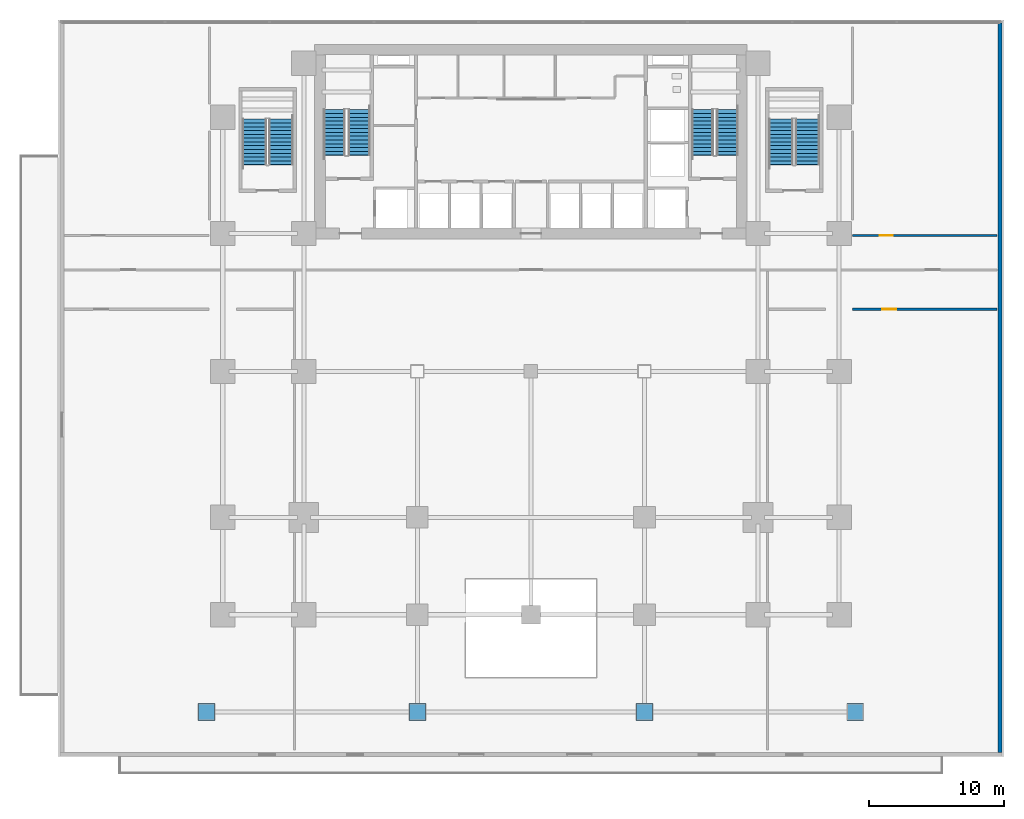
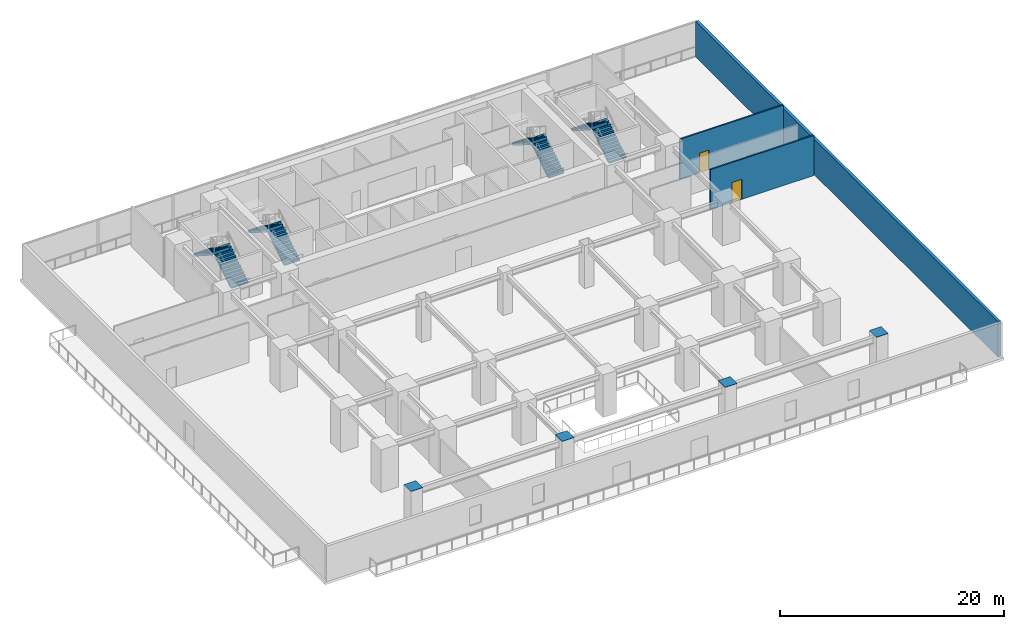
# One storey, part 11 of 17: 8 stair flights, 4 discrete accessories, 3 walls, 2 doors, 2 openings, 4 elements without a shape of their own.
"""IFC4 building model written with IfcOpenShell, lengths in metres."""

from ifc_helpers import new_model, si_unit, direction, frame, frame_2d, origin, origin_2d, place, context, subcontext, project, spatial, polyline, rectangle, outline, extrude, source, transform, mapped, material, layer, layer_set, type_object, element, fill, aggregate, save


model = new_model("IFC4")

# Units and contexts
model_context = context("Model", 3, precision=1e-05, world=origin(), true_north=direction((0.0, 1.0)))
body_context = subcontext(model_context, "Body", "Model", "MODEL_VIEW")
ifc_project = project(units=[si_unit("LENGTHUNIT", "METRE"), si_unit("AREAUNIT", "SQUARE_METRE"), si_unit("VOLUMEUNIT", "CUBIC_METRE"), si_unit("PLANEANGLEUNIT", "RADIAN"), si_unit("MASSUNIT", "GRAM", prefix="KILO")], contexts=[model_context])

# Site, building, storey
site_placement = place(None, origin())
site = spatial("IfcSite", under=ifc_project, at=site_placement, CompositionType="ELEMENT")
building_placement = place(site_placement, origin())
building = spatial("IfcBuilding", under=site, at=building_placement, Name="Sumidabori Civic Tower", CompositionType="ELEMENT")
storey_placement = place(building_placement, frame((0.0, 0.0, 9.64990234375)))
storey = spatial("IfcBuildingStorey", under=building, at=storey_placement, Name="L02", CompositionType="ELEMENT", Elevation=9.64990234375)

# Wall
ifc_material_1 = material(Name="Precast concrete C40/50", Category="concrete")
ifc_layer_1 = layer(ifc_material_1, 0.300048828125, Name="Precast concrete C40/50")
ifc_layer_set_1 = layer_set([ifc_layer_1], Name="Precast concrete C40/50")
wall_type_1 = type_object("IfcWallType", Name="WL-EXT-POD300", PredefinedType="STANDARD", material=ifc_layer_set_1)
shared_shape_1 = source(origin(), body_context, "Body", "SweptSolid", [
    extrude(rectangle(XDim=53.989990234375, YDim=0.300048828125, at=frame_2d((26.9951171875, 0.0))), origin(), (0.0, 0.0, 1.0), 3.8701171875),
])
wall_1_placement = place(storey_placement, frame((34.699951171875, 25.7900390625, 0.0), z_axis=(0.0, 0.0, 1.0), x_axis=(0.0, -1.0, 0.0)))
element("IfcWall", 1, at=wall_1_placement, inside=storey, type_object=wall_type_1, Name="Podium East Wall L02", PredefinedType="STANDARD", context=body_context, shape_type="MappedRepresentation", body=[
    mapped(shared_shape_1, transform((0.0, 0.0, 0.0), x_axis=(1.0, 0.0, 0.0), y_axis=(0.0, 1.0, 0.0), z_axis=(0.0, 0.0, 1.0), scale=1.0)),
])

# Wall, opening, door
ifc_material_2 = material(Name="Gypsum Plasterboard Acoustic Partition")
ifc_layer_2 = layer(ifc_material_2, 0.14990234375, Name="Gypsum Plasterboard Acoustic Partition")
ifc_layer_set_2 = layer_set([ifc_layer_2], Name="Gypsum Plasterboard Acoustic Partition")
wall_type_2 = type_object("IfcWallType", Name="WL-PART-150", PredefinedType="PARTITIONING", material=ifc_layer_set_2)
shared_shape_2 = source(origin(), body_context, "Body", "SweptSolid", [
    extrude(rectangle(XDim=10.699951171875, YDim=0.14990234375, at=frame_2d((5.35009765625, 0.0))), origin(), (0.0, 0.0, 1.0), 4.3701171875),
])
wall_2_placement = place(storey_placement, frame((23.800048828125, 10.050048828125, 0.0), z_axis=(0.0, 0.0, 1.0), x_axis=(1.0, 0.0, 0.0)))
wall_2 = element("IfcWall", 2, at=wall_2_placement, inside=storey, type_object=wall_type_2, Name="Interior Partition WL:L02:CORR-NE", PredefinedType="PARTITIONING", context=body_context, shape_type="MappedRepresentation", body=[
    mapped(shared_shape_2, transform((0.0, 0.0, 0.0), x_axis=(1.0, 0.0, 0.0), y_axis=(0.0, 1.0, 0.0), z_axis=(0.0, 0.0, 1.0), scale=1.0)),
])
opening_1_placement = place(wall_2_placement, frame((2.0, 0.0, 0.0)))
opening_1 = element("IfcOpeningElement", 3, at=opening_1_placement, cuts=wall_2, Name="Opening DR-3", PredefinedType="OPENING", context=body_context, shape_type="SweptSolid", body=[
    extrude(rectangle(XDim=0.97998046875, YDim=2.14990234375, at=frame_2d((0.489990234375, 1.074951171875))), frame((0.0, 0.0869140625, 0.0), z_axis=(0.0, -1.0, 0.0), x_axis=(1.0, 0.0, 0.0)), (0.0, 0.0, 1.0), 0.173828125),
])
ifc_material_3 = material(Name="Japanese Hinoki Timber", Category="wood")
door_type_1 = type_object("IfcDoorType", Name="DR-INT-980", OperationType="NOTDEFINED", PredefinedType="DOOR", material=ifc_material_3)
shared_shape_3 = source(origin(), body_context, "Body", "SweptSolid", [
    extrude(rectangle(XDim=0.97998046875, YDim=2.14990234375, at=frame_2d((0.489990234375, 1.074951171875))), frame((0.0, 0.02490234375, 0.0), z_axis=(0.0, -1.0, 0.0), x_axis=(1.0, 0.0, 0.0)), (0.0, 0.0, 1.0), 0.050048828125),
])
door_1_placement = place(opening_1_placement, origin())
door_1 = element("IfcDoor", 4, at=door_1_placement, inside=storey, type_object=door_type_1, Name="Door DR:L02:PD-NE", OperationType="SINGLE_SWING_RIGHT", OverallHeight=2.14990234375, OverallWidth=0.97998046875, PredefinedType="DOOR", context=body_context, shape_type="MappedRepresentation", body=[
    mapped(shared_shape_3, transform((0.0, 0.0, 0.0), x_axis=(1.0, 0.0, 0.0), y_axis=(0.0, 1.0, 0.0), z_axis=(0.0, 0.0, 1.0), scale=1.0)),
])
fill(opening_1, door_1)

wall_3_placement = place(storey_placement, frame((23.800048828125, 4.60009765625, 0.0), z_axis=(0.0, 0.0, 1.0), x_axis=(1.0, 0.0, 0.0)))
wall_3 = element("IfcWall", 5, at=wall_3_placement, inside=storey, type_object=wall_type_2, Name="Interior Partition WL:L02:SUB-E2", PredefinedType="PARTITIONING", context=body_context, shape_type="MappedRepresentation", body=[
    mapped(shared_shape_2, transform((0.0, 0.0, 0.0), x_axis=(1.0, 0.0, 0.0), y_axis=(0.0, 1.0, 0.0), z_axis=(0.0, 0.0, 1.0), scale=1.0)),
])
opening_2_placement = place(wall_3_placement, frame((2.199951171875, 0.0, 0.0)))
opening_2 = element("IfcOpeningElement", 6, at=opening_2_placement, cuts=wall_3, Name="Opening DR-4", PredefinedType="OPENING", context=body_context, shape_type="SweptSolid", body=[
    extrude(rectangle(XDim=1.0400390625, YDim=2.199951171875, at=frame_2d((0.52001953125, 1.10009765625))), frame((0.0, 0.0869140625, 0.0), z_axis=(0.0, -1.0, 0.0), x_axis=(1.0, 0.0, 0.0)), (0.0, 0.0, 1.0), 0.173828125),
])
door_type_2 = type_object("IfcDoorType", Name="DR-INT-1040", OperationType="NOTDEFINED", PredefinedType="DOOR", material=ifc_material_3)
shared_shape_4 = source(origin(), body_context, "Body", "SweptSolid", [
    extrude(rectangle(XDim=1.0400390625, YDim=2.199951171875, at=frame_2d((0.52001953125, 1.10009765625))), frame((0.0, 0.02490234375, 0.0), z_axis=(0.0, -1.0, 0.0), x_axis=(1.0, 0.0, 0.0)), (0.0, 0.0, 1.0), 0.050048828125),
])
door_2_placement = place(opening_2_placement, origin())
door_2 = element("IfcDoor", 7, at=door_2_placement, inside=storey, type_object=door_type_2, Name="Door DR:L02:PD-SE", OperationType="SINGLE_SWING_RIGHT", OverallHeight=2.199951171875, OverallWidth=1.0400390625, PredefinedType="DOOR", context=body_context, shape_type="MappedRepresentation", body=[
    mapped(shared_shape_4, transform((0.0, 0.0, 0.0), x_axis=(1.0, 0.0, 0.0), y_axis=(0.0, 1.0, 0.0), z_axis=(0.0, 0.0, 1.0), scale=1.0)),
])
fill(opening_2, door_2)

# Stair, stair flights
ifc_material_4 = material(Name="Concrete C40/50", Category="concrete")
stair_type_1 = type_object("IfcStairType", Name="ST-CORE-1600", PredefinedType="HALF_TURN_STAIR", material=ifc_material_4)
stair_1_placement = place(storey_placement, origin())
stair_1 = element("IfcStair", 8, at=stair_1_placement, inside=storey, type_object=stair_type_1, Name="L02 ST-1", PredefinedType="HALF_TURN_STAIR")
stair_flight_type_1 = type_object("IfcStairFlightType", Name="SF-CORE-1600", PredefinedType="STRAIGHT", material=ifc_material_4)
shared_shape_5 = source(origin(), body_context, "Body", "SweptSolid", [
    extrude(outline(polyline([(-0.02490234375, 0.0), (-0.02490234375, 0.0400390625), (0.0, 0.0400390625), (0.0, 0.178955078125), (0.280029296875, 0.178955078125), (0.280029296875, 0.357666015625), (0.56005859375, 0.357666015625), (0.56005859375, 0.53662109375), (0.840087890625, 0.53662109375), (0.840087890625, 0.71533203125), (1.1201171875, 0.71533203125), (1.1201171875, 0.894287109375), (1.39990234375, 0.894287109375), (1.39990234375, 1.072998046875), (1.679931640625, 1.072998046875), (1.679931640625, 1.251953125), (1.9599609375, 1.251953125), (1.9599609375, 1.4306640625), (2.239990234375, 1.4306640625), (2.239990234375, 1.609619140625), (2.52001953125, 1.609619140625), (2.52001953125, 1.78857421875), (2.800048828125, 1.78857421875), (2.800048828125, 1.96728515625), (3.080078125, 1.96728515625), (3.080078125, 2.146240234375), (3.360107421875, 2.146240234375), (3.360107421875, 2.324951171875), (3.385009765625, 2.324951171875), (3.385009765625, 2.175048828125), (3.360107421875, 1.96826171875), (0.278564453125, 0.0), (-0.02490234375, 0.0)])), frame((0.0, 0.800048828125, 0.0), z_axis=(0.0, -1.0, 0.0), x_axis=(1.0, 0.0, 0.0)), (0.0, 0.0, 1.0), 1.60009765625),
])
stair_flight_1_placement = place(storey_placement, frame((-12.699951171875, 16.0, 0.0), z_axis=(0.0, 0.0, 1.0), x_axis=(0.0, 1.0, 0.0)))
stair_flight_1 = element("IfcStairFlight", 9, at=stair_flight_1_placement, type_object=stair_flight_type_1, Name="ST-1 flight 1", NumberOfRisers=13, NumberOfTreads=12, PredefinedType="STRAIGHT", RiserHeight=0.178846154, TreadLength=0.28, context=body_context, shape_type="MappedRepresentation", body=[
    mapped(shared_shape_5, transform((0.0, 0.0, 0.0), x_axis=(1.0, 0.0, 0.0), y_axis=(0.0, 1.0, 0.0), z_axis=(0.0, 0.0, 1.0), scale=1.0)),
])
stair_flight_2_placement = place(storey_placement, frame((-14.5400390625, 19.360107421875, 2.3251953125), z_axis=(0.0, 0.0, 1.0), x_axis=(0.0, -1.0, 0.0)))
stair_flight_2 = element("IfcStairFlight", 10, at=stair_flight_2_placement, type_object=stair_flight_type_1, Name="ST-1 flight 2", NumberOfRisers=13, NumberOfTreads=12, PredefinedType="STRAIGHT", RiserHeight=0.178846154, TreadLength=0.28, context=body_context, shape_type="MappedRepresentation", body=[
    mapped(shared_shape_5, transform((0.0, 0.0, 0.0), x_axis=(1.0, 0.0, 0.0), y_axis=(0.0, 1.0, 0.0), z_axis=(0.0, 0.0, 1.0), scale=1.0)),
])
aggregate(stair_1, [stair_flight_1, stair_flight_2])

stair_2_placement = place(storey_placement, origin())
stair_2 = element("IfcStair", 11, at=stair_2_placement, inside=storey, type_object=stair_type_1, Name="L02 ST-2", PredefinedType="HALF_TURN_STAIR")
stair_flight_3_placement = place(storey_placement, frame((14.5400390625, 16.0, 0.0), z_axis=(0.0, 0.0, 1.0), x_axis=(0.0, 1.0, 0.0)))
stair_flight_3 = element("IfcStairFlight", 12, at=stair_flight_3_placement, type_object=stair_flight_type_1, Name="ST-2 flight 1", NumberOfRisers=13, NumberOfTreads=12, PredefinedType="STRAIGHT", RiserHeight=0.178846154, TreadLength=0.28, context=body_context, shape_type="MappedRepresentation", body=[
    mapped(shared_shape_5, transform((0.0, 0.0, 0.0), x_axis=(1.0, 0.0, 0.0), y_axis=(0.0, 1.0, 0.0), z_axis=(0.0, 0.0, 1.0), scale=1.0)),
])
stair_flight_4_placement = place(storey_placement, frame((12.699951171875, 19.360107421875, 2.3251953125), z_axis=(0.0, 0.0, 1.0), x_axis=(0.0, -1.0, 0.0)))
stair_flight_4 = element("IfcStairFlight", 13, at=stair_flight_4_placement, type_object=stair_flight_type_1, Name="ST-2 flight 2", NumberOfRisers=13, NumberOfTreads=12, PredefinedType="STRAIGHT", RiserHeight=0.178846154, TreadLength=0.28, context=body_context, shape_type="MappedRepresentation", body=[
    mapped(shared_shape_5, transform((0.0, 0.0, 0.0), x_axis=(1.0, 0.0, 0.0), y_axis=(0.0, 1.0, 0.0), z_axis=(0.0, 0.0, 1.0), scale=1.0)),
])
aggregate(stair_2, [stair_flight_3, stair_flight_4])

stair_type_2 = type_object("IfcStairType", Name="ST-POD-1800", PredefinedType="HALF_TURN_STAIR", material=ifc_material_4)
stair_3_placement = place(storey_placement, origin())
stair_3 = element("IfcStair", 14, at=stair_3_placement, inside=storey, type_object=stair_type_2, Name="L02 ST-3", PredefinedType="HALF_TURN_STAIR")
stair_flight_type_2 = type_object("IfcStairFlightType", Name="SF-POD-1800", PredefinedType="STRAIGHT", material=ifc_material_4)
shared_shape_6 = source(origin(), body_context, "Body", "SweptSolid", [
    extrude(outline(polyline([(-0.02490234375, 0.0), (-0.02490234375, 0.0400390625), (0.0, 0.0400390625), (0.0, 0.178955078125), (0.280029296875, 0.178955078125), (0.280029296875, 0.357666015625), (0.56005859375, 0.357666015625), (0.56005859375, 0.53662109375), (0.840087890625, 0.53662109375), (0.840087890625, 0.71533203125), (1.1201171875, 0.71533203125), (1.1201171875, 0.894287109375), (1.39990234375, 0.894287109375), (1.39990234375, 1.072998046875), (1.679931640625, 1.072998046875), (1.679931640625, 1.251953125), (1.9599609375, 1.251953125), (1.9599609375, 1.4306640625), (2.239990234375, 1.4306640625), (2.239990234375, 1.609619140625), (2.52001953125, 1.609619140625), (2.52001953125, 1.78857421875), (2.800048828125, 1.78857421875), (2.800048828125, 1.96728515625), (3.080078125, 1.96728515625), (3.080078125, 2.146240234375), (3.360107421875, 2.146240234375), (3.360107421875, 2.324951171875), (3.385009765625, 2.324951171875), (3.385009765625, 2.175048828125), (3.360107421875, 1.96826171875), (0.278564453125, 0.0), (-0.02490234375, 0.0)])), frame((0.0, 0.89990234375, 0.0), z_axis=(0.0, -1.0, 0.0), x_axis=(1.0, 0.0, 0.0)), (0.0, 0.0, 1.0), 1.800048828125),
])
stair_flight_5_placement = place(storey_placement, frame((-18.5, 15.300048828125, 0.0), z_axis=(0.0, 0.0, 1.0), x_axis=(0.0, 1.0, 0.0)))
stair_flight_5 = element("IfcStairFlight", 15, at=stair_flight_5_placement, type_object=stair_flight_type_2, Name="ST-3 flight 1", NumberOfRisers=13, NumberOfTreads=12, PredefinedType="STRAIGHT", RiserHeight=0.178846154, TreadLength=0.28, context=body_context, shape_type="MappedRepresentation", body=[
    mapped(shared_shape_6, transform((0.0, 0.0, 0.0), x_axis=(1.0, 0.0, 0.0), y_axis=(0.0, 1.0, 0.0), z_axis=(0.0, 0.0, 1.0), scale=1.0)),
])
stair_flight_6_placement = place(storey_placement, frame((-20.4599609375, 18.659912109375, 2.3251953125), z_axis=(0.0, 0.0, 1.0), x_axis=(0.0, -1.0, 0.0)))
stair_flight_6 = element("IfcStairFlight", 16, at=stair_flight_6_placement, type_object=stair_flight_type_2, Name="ST-3 flight 2", NumberOfRisers=13, NumberOfTreads=12, PredefinedType="STRAIGHT", RiserHeight=0.178846154, TreadLength=0.28, context=body_context, shape_type="MappedRepresentation", body=[
    mapped(shared_shape_6, transform((0.0, 0.0, 0.0), x_axis=(1.0, 0.0, 0.0), y_axis=(0.0, 1.0, 0.0), z_axis=(0.0, 0.0, 1.0), scale=1.0)),
])
aggregate(stair_3, [stair_flight_5, stair_flight_6])

stair_4_placement = place(storey_placement, origin())
stair_4 = element("IfcStair", 17, at=stair_4_placement, inside=storey, type_object=stair_type_2, Name="L02 ST-4", PredefinedType="HALF_TURN_STAIR")
stair_flight_7_placement = place(storey_placement, frame((20.4599609375, 15.300048828125, 0.0), z_axis=(0.0, 0.0, 1.0), x_axis=(0.0, 1.0, 0.0)))
stair_flight_7 = element("IfcStairFlight", 18, at=stair_flight_7_placement, type_object=stair_flight_type_2, Name="ST-4 flight 1", NumberOfRisers=13, NumberOfTreads=12, PredefinedType="STRAIGHT", RiserHeight=0.178846154, TreadLength=0.28, context=body_context, shape_type="MappedRepresentation", body=[
    mapped(shared_shape_6, transform((0.0, 0.0, 0.0), x_axis=(1.0, 0.0, 0.0), y_axis=(0.0, 1.0, 0.0), z_axis=(0.0, 0.0, 1.0), scale=1.0)),
])
stair_flight_8_placement = place(storey_placement, frame((18.5, 18.659912109375, 2.3251953125), z_axis=(0.0, 0.0, 1.0), x_axis=(0.0, -1.0, 0.0)))
stair_flight_8 = element("IfcStairFlight", 19, at=stair_flight_8_placement, type_object=stair_flight_type_2, Name="ST-4 flight 2", NumberOfRisers=13, NumberOfTreads=12, PredefinedType="STRAIGHT", RiserHeight=0.178846154, TreadLength=0.28, context=body_context, shape_type="MappedRepresentation", body=[
    mapped(shared_shape_6, transform((0.0, 0.0, 0.0), x_axis=(1.0, 0.0, 0.0), y_axis=(0.0, 1.0, 0.0), z_axis=(0.0, 0.0, 1.0), scale=1.0)),
])
aggregate(stair_4, [stair_flight_7, stair_flight_8])

# Discrete accessories
ifc_material_5 = material(Name="Steel SM570", Category="steel")
ifc_layer_3 = layer(ifc_material_5, 0.028076171875, Name="Steel SM570")
ifc_layer_set_3 = layer_set([ifc_layer_3], Name="Steel SM570")
discrete_accessory_type = type_object("IfcDiscreteAccessoryType", Name="AC-CAP-SM570", PredefinedType="USERDEFINED", material=ifc_layer_set_3)
shared_shape_7 = source(origin(), body_context, "Body", "SweptSolid", [
    extrude(rectangle(XDim=1.239990234375, YDim=1.239990234375, at=origin_2d()), origin(), (0.0, 0.0, 1.0), 0.028076171875),
])
for number, where, z_axis, x_axis, name in (
    (20, (-24.0, -25.199951171875, 4.6162109375), (0.0, 0.0, 1.0), (1.0, 0.0, 0.0), "Hollow Section End Cap Plate PC-S1"),
    (21, (-8.39990234375, -25.199951171875, 4.6162109375), (0.0, 0.0, 1.0), (1.0, 0.0, 0.0), "Hollow Section End Cap Plate PC-S2"),
    (22, (8.39990234375, -25.199951171875, 4.6162109375), (0.0, 0.0, 1.0), (1.0, 0.0, 0.0), "Hollow Section End Cap Plate PC-S3"),
    (23, (24.0, -25.199951171875, 4.6162109375), (0.0, 0.0, 1.0), (1.0, 0.0, 0.0), "Hollow Section End Cap Plate PC-S4"),
):
    element("IfcDiscreteAccessory", number, at=place(storey_placement, frame(where, z_axis=z_axis, x_axis=x_axis)), inside=storey, type_object=discrete_accessory_type, Name=name, ObjectType="End Cap Plate", PredefinedType="USERDEFINED", context=body_context, shape_type="MappedRepresentation", body=[
        mapped(shared_shape_7, transform((0.0, 0.0, 0.0), x_axis=(1.0, 0.0, 0.0), y_axis=(0.0, 1.0, 0.0), z_axis=(0.0, 0.0, 1.0), scale=1.0)),
    ])

save(model, "model.ifc")
